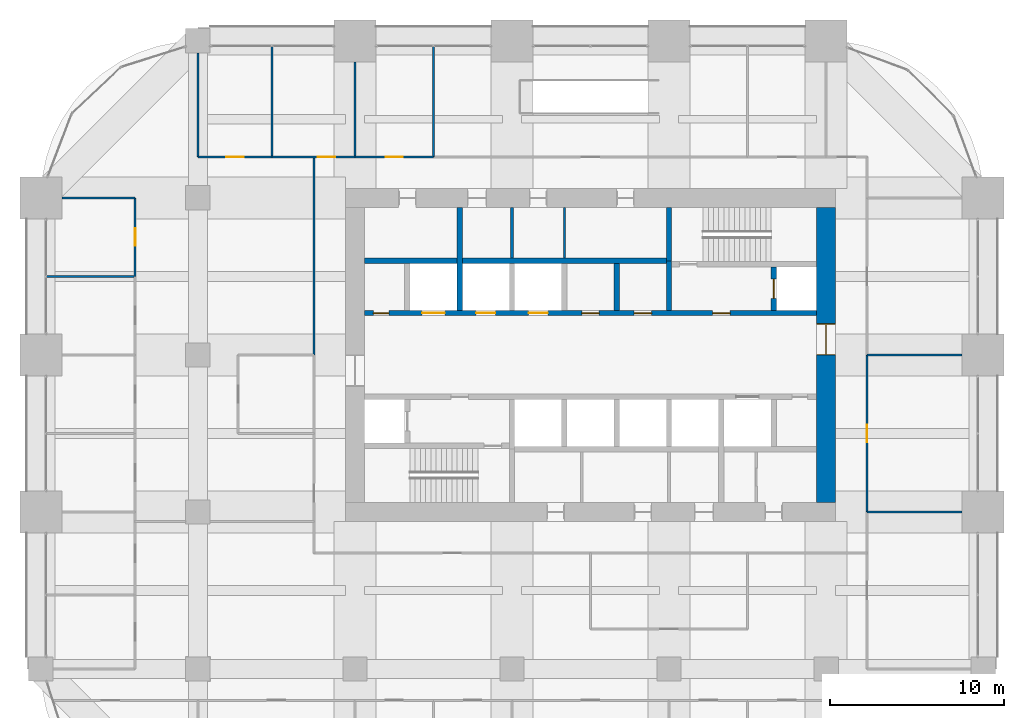
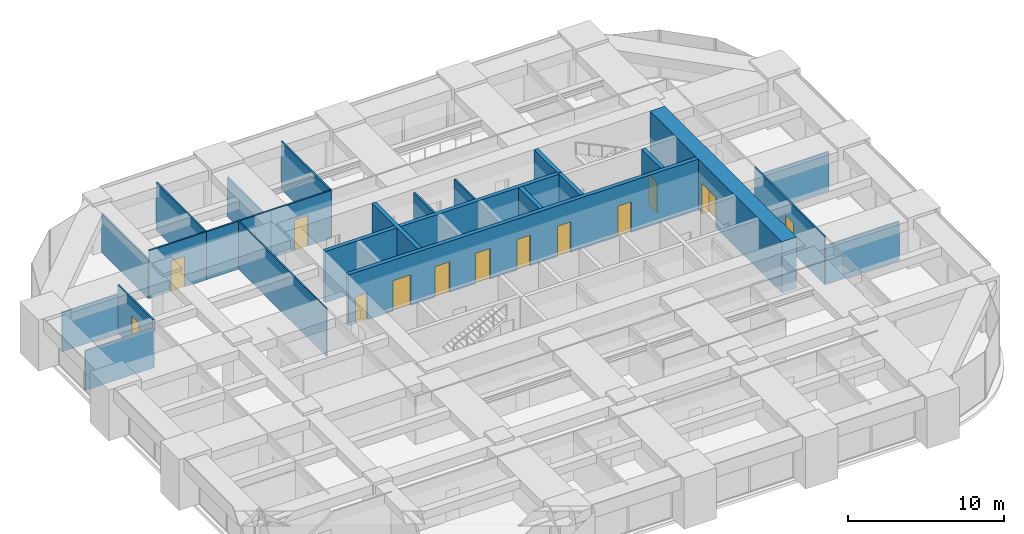
# One storey, part 32 of 35: 24 walls, 14 doors, 14 openings.
"""IFC4 building model written with IfcOpenShell, lengths in metres."""

import ifcopenshell
import ifcopenshell.guid

model = None  # the IFC model being written
_history = None  # IfcOwnerHistory: only IFC2X3 demands one
_inside = {}  # id of a spatial element -> (the spatial element, [elements in it])
_under = {}  # id of a project, library or spatial element -> (it, [spatial elements below it])
_declared = {}  # id of a project -> (the project, [libraries it declares])
_typed = {}  # id of a type object -> (the type object, [elements of that type])
_made_of = {}  # id of a material, layer set ... -> (it, [elements and type objects made of it])


def new_model(schema):
    """Start an empty IFC model of exactly this schema.

    Asked for "IFC4X3", IfcOpenShell would pick the latest addendum, in which some entities
    have other attributes; the version numbers below select the first issue.
    IFC2X3 requires an IfcOwnerHistory on every rooted entity: one is made here for all.
    """
    global model, _history
    if schema == "IFC4X3":
        model = ifcopenshell.file(schema_version=(4, 3, 0, 0))
    else:
        model = ifcopenshell.file(schema=schema)
    _inside.clear()
    _under.clear()
    _declared.clear()
    _typed.clear()
    _made_of.clear()
    _history = None
    if model.schema == "IFC2X3":
        org = make("IfcOrganization", Name="unknown")
        user = make(
            "IfcPersonAndOrganization",
            ThePerson=make("IfcPerson", FamilyName="unknown"),
            TheOrganization=org,
        )
        app = make(
            "IfcApplication",
            ApplicationDeveloper=org,
            Version="unknown",
            ApplicationFullName="unknown",
            ApplicationIdentifier="unknown",
        )
        _history = make(
            "IfcOwnerHistory",
            OwningUser=user,
            OwningApplication=app,
            ChangeAction="ADDED",
            CreationDate=0,
        )
    return model


def make(cls, **values):
    """One entity of the class cls with the attributes given. An attribute that is None is left unset."""
    return model.create_entity(
        cls, **{name: value for name, value in values.items() if value is not None}
    )


def rooted(cls, **values):
    """An entity with a GlobalId (a new one), such as an element, a storey or a relation."""
    return make(cls, GlobalId=ifcopenshell.guid.new(), OwnerHistory=_history, **values)


def si_unit(unit_type, name, prefix=None):
    """IfcSIUnit, for example si_unit("LENGTHUNIT", "METRE", prefix="MILLI")."""
    return make("IfcSIUnit", UnitType=unit_type, Prefix=prefix, Name=name)


def assignment(units):
    """IfcUnitAssignment: the units of a project."""
    return None if units is None else make("IfcUnitAssignment", Units=units)


def point(xyz):
    """IfcCartesianPoint."""
    return None if xyz is None else make("IfcCartesianPoint", Coordinates=xyz)


def direction(xyz):
    """IfcDirection."""
    return None if xyz is None else make("IfcDirection", DirectionRatios=xyz)


def frame(location, z_axis=None, x_axis=None):
    """IfcAxis2Placement3D, a coordinate frame: its origin and axes. An axis left out is left unset."""
    return make(
        "IfcAxis2Placement3D",
        Location=point(location),
        Axis=direction(z_axis),
        RefDirection=direction(x_axis),
    )


def frame_2d(location, x_axis=None):
    """IfcAxis2Placement2D, a coordinate frame in the plane: its origin and x axis."""
    return make(
        "IfcAxis2Placement2D", Location=point(location), RefDirection=direction(x_axis)
    )


def origin():
    """The frame at (0, 0, 0) with its axes left unset."""
    return frame((0.0, 0.0, 0.0))


def place(relative_to, where):
    """IfcLocalPlacement: puts the frame where relative to a parent placement (None: the world)."""
    return make(
        "IfcLocalPlacement", PlacementRelTo=relative_to, RelativePlacement=where
    )


def context(
    kind, dimensions, precision=None, world=None, true_north=None, identifier=None
):
    """IfcGeometricRepresentationContext, for example the 3D "Model" context."""
    return make(
        "IfcGeometricRepresentationContext",
        ContextIdentifier=identifier,
        ContextType=kind,
        CoordinateSpaceDimension=dimensions,
        Precision=precision,
        WorldCoordinateSystem=world,
        TrueNorth=true_north,
    )


def subcontext(parent, identifier, kind, view, scale=None):
    """IfcGeometricRepresentationSubContext, for example "Body" below "Model"."""
    return make(
        "IfcGeometricRepresentationSubContext",
        ContextIdentifier=identifier,
        ContextType=kind,
        ParentContext=parent,
        TargetScale=scale,
        TargetView=view,
    )


def project(units=None, contexts=None):
    """IfcProject with its units and contexts."""
    return rooted(
        "IfcProject",
        Name="project",
        RepresentationContexts=contexts,
        UnitsInContext=assignment(units),
    )


def spatial(cls, under=None, at=None, **own):
    """A site, building, storey or space (cls), placed at a placement, below another one or the project."""
    s = rooted(cls, ObjectPlacement=at, **own)
    if under is not None:
        _under.setdefault(under.id(), (under, []))[1].append(s)
    return s


def profile(cls, at=None, kind="AREA", **sizes):
    """A parametric profile (cls). Its sizes go by their IFC names, for example OverallWidth=200.0."""
    return make(cls, ProfileType=kind, Position=at, **sizes)


def rectangle(**sizes):
    """IfcRectangleProfileDef."""
    return profile("IfcRectangleProfileDef", **sizes)


def extrude(swept, where, along, depth):
    """IfcExtrudedAreaSolid: the profile swept, set in the frame where, extruded along a direction by depth."""
    return make(
        "IfcExtrudedAreaSolid",
        SweptArea=swept,
        Position=where,
        ExtrudedDirection=direction(along),
        Depth=depth,
    )


def shape(context_of_items, identifier, shape_type, items):
    """IfcShapeRepresentation: the items that make up one representation, for example the "Body"."""
    return make(
        "IfcShapeRepresentation",
        ContextOfItems=context_of_items,
        RepresentationIdentifier=identifier,
        RepresentationType=shape_type,
        Items=items,
    )


def material(Name=None, Category=None):
    """IfcMaterial."""
    return make("IfcMaterial", Name=Name, Category=Category)


def layer(
    of_material, thickness, ventilated=None, Name=None, Category=None, Priority=None
):
    """IfcMaterialLayer: one layer of a wall or slab, of a material (None: an air gap)."""
    return make(
        "IfcMaterialLayer",
        Material=of_material,
        LayerThickness=thickness,
        IsVentilated=ventilated,
        Name=Name,
        Category=Category,
        Priority=Priority,
    )


def layer_set(layers, Name=None):
    """IfcMaterialLayerSet."""
    return make("IfcMaterialLayerSet", MaterialLayers=layers, LayerSetName=Name)


def made_of(thing, what):
    """Note that an element or type object is made of a material, layer set ...; save() writes the relation."""
    if what is not None:
        _made_of.setdefault(what.id(), (what, []))[1].append(thing)
    return thing


def type_object(cls, material=None, **own):
    """A type object (cls), such as IfcWallType, which elements share."""
    return made_of(rooted(cls, **own), material)


def element(
    cls,
    number,
    at=None,
    inside=None,
    cuts=None,
    type_object=None,
    material=None,
    context=None,
    identifier="Body",
    shape_type=None,
    held_by="IfcProductDefinitionShape",
    body=None,
    shapes=None,
    **own,
):
    """One element of the class cls, such as IfcWall. Its Tag is "e" and its number.

    at: its placement. inside: the storey or other place that contains it. cuts: it is an
    opening in that element (IfcRelVoidsElement). A single representation is given by context,
    identifier, shape_type and body (its items); several are given by shapes. held_by: the class
    of the entity that holds the representations. save() writes the other relations.
    """
    e = rooted(cls, Tag="e%d" % number, ObjectPlacement=at, **own)
    if body is not None:
        shapes = [shape(context, identifier, shape_type, body)]
    if shapes is not None:
        e.Representation = make(held_by, Representations=shapes)
    if inside is not None:
        _inside.setdefault(inside.id(), (inside, []))[1].append(e)
    if cuts is not None:
        rooted(
            "IfcRelVoidsElement", RelatingBuildingElement=cuts, RelatedOpeningElement=e
        )
    if type_object is not None:
        _typed.setdefault(type_object.id(), (type_object, []))[1].append(e)
    return made_of(e, material)


def fill(opening, filler):
    """IfcRelFillsElement: the door or window that sits in an opening."""
    return rooted(
        "IfcRelFillsElement",
        RelatingOpeningElement=opening,
        RelatedBuildingElement=filler,
    )


def aggregate(whole, parts):
    """IfcRelAggregates: a whole, such as a stair, and the parts it consists of."""
    return rooted("IfcRelAggregates", RelatingObject=whole, RelatedObjects=parts)


def save(model, path):
    """Write the relations noted so far, then the file.

    IfcRelAggregates (storeys below a building ...), IfcRelContainedInSpatialStructure (elements
    in a storey), IfcRelDefinesByType, IfcRelAssociatesMaterial and IfcRelDeclares: one each for
    every whole, place, type object, material and project.
    """
    for whole, parts in _under.values():
        aggregate(whole, parts)
    for where, things in _inside.values():
        rooted(
            "IfcRelContainedInSpatialStructure",
            RelatedElements=things,
            RelatingStructure=where,
        )
    for kind, things in _typed.values():
        rooted("IfcRelDefinesByType", RelatedObjects=things, RelatingType=kind)
    for what, things in _made_of.values():
        rooted("IfcRelAssociatesMaterial", RelatedObjects=things, RelatingMaterial=what)
    for by, libraries in _declared.values():
        rooted("IfcRelDeclares", RelatingContext=by, RelatedDefinitions=libraries)
    model.write(path)


model = new_model("IFC4")

# Units and contexts
model_context = context("Model", 3, precision=1e-05, world=origin(), true_north=direction((0.0, 1.0)))
body_context = subcontext(model_context, "Body", "Model", "MODEL_VIEW")
ifc_project = project(units=[si_unit("LENGTHUNIT", "METRE"), si_unit("AREAUNIT", "SQUARE_METRE"), si_unit("VOLUMEUNIT", "CUBIC_METRE"), si_unit("PLANEANGLEUNIT", "RADIAN"), si_unit("MASSUNIT", "GRAM", prefix="KILO")], contexts=[model_context])

# Site, building, storey
site_placement = place(None, origin())
site = spatial("IfcSite", under=ifc_project, at=site_placement, CompositionType="ELEMENT")
building_placement = place(site_placement, origin())
building = spatial("IfcBuilding", under=site, at=building_placement, Name="Zorevar Civic Tower", CompositionType="ELEMENT")
storey_placement = place(building_placement, frame((0.0, 0.0, 218.199951171875)))
storey = spatial("IfcBuildingStorey", under=building, at=storey_placement, Name="L53", CompositionType="ELEMENT", Elevation=218.199951171875)

# Wall, opening, door
ifc_material_1 = material(Name="Concrete C50/60", Category="concrete")
ifc_layer_1 = layer(ifc_material_1, 1.10009765625)
ifc_layer_set_1 = layer_set([ifc_layer_1], Name="Core wall 1100")
wall_type_1 = type_object("IfcWallType", Name="Core wall 1100", PredefinedType="SHEAR", material=ifc_layer_set_1)
wall_1_placement = place(storey_placement, frame((45.0, 18.550048828125, 0.0), z_axis=(0.0, 0.0, 1.0), x_axis=(0.0, 1.0, 0.0)))
wall_1 = element("IfcWall", 1, at=wall_1_placement, inside=storey, type_object=wall_type_1, Name="Core wall E L53", PredefinedType="SHEAR", context=body_context, shape_type="SweptSolid", body=[
    extrude(rectangle(XDim=16.89990234375, YDim=1.10009765625, at=frame_2d((8.449951171875, 0.0))), origin(), (0.0, 0.0, 1.0), 4.0),
])
opening_1_placement = place(wall_1_placement, frame((8.449951171875, 0.0, 0.0)))
opening_1 = element("IfcOpeningElement", 2, at=opening_1_placement, cuts=wall_1, Name="Opening L53.02", PredefinedType="OPENING", context=body_context, shape_type="SweptSolid", body=[
    extrude(rectangle(XDim=1.800048828125, YDim=2.39990234375, at=frame_2d((0.89990234375, 1.199951171875))), frame((0.0, 0.56005859375, 0.0), z_axis=(0.0, -1.0, 0.0), x_axis=(1.0, 0.0, 0.0)), (0.0, 0.0, 1.0), 1.1201171875),
])
ifc_material_2 = material(Name="Steel door set", Category="steel")
door_type_1 = type_object("IfcDoorType", Name="Fire door FD2 1800x2400", OperationType="DOUBLE_DOOR_DOUBLE_SWING", PredefinedType="DOOR", material=ifc_material_2)
door_1_placement = place(opening_1_placement, origin())
door_1 = element("IfcDoor", 3, at=door_1_placement, inside=storey, type_object=door_type_1, Name="Door L53 01", OperationType="DOUBLE_DOOR_DOUBLE_SWING", OverallHeight=2.39990234375, OverallWidth=1.800048828125, PredefinedType="DOOR", context=body_context, shape_type="SweptSolid", body=[
    extrude(rectangle(XDim=1.800048828125, YDim=2.39990234375, at=frame_2d((0.89990234375, 1.199951171875))), frame((0.0, 0.030029296875, 0.0), z_axis=(0.0, -1.0, 0.0), x_axis=(1.0, 0.0, 0.0)), (0.0, 0.0, 1.0), 0.06005859375),
    extrude(rectangle(XDim=0.04, YDim=2.39990234375, at=frame_2d((0.02001953125, 1.199951171875))), frame((0.0, 0.5498046875, 0.0), z_axis=(0.0, -1.0, 0.0), x_axis=(1.0, 0.0, 0.0)), (0.0, 0.0, 1.0), 1.099609375),
    extrude(rectangle(XDim=0.04, YDim=2.39990234375, at=frame_2d((1.780029296875, 1.199951171875))), frame((0.0, 0.5498046875, 0.0), z_axis=(0.0, -1.0, 0.0), x_axis=(1.0, 0.0, 0.0)), (0.0, 0.0, 1.0), 1.099609375),
    extrude(rectangle(XDim=1.800048828125, YDim=0.04, at=frame_2d((0.89990234375, 2.3798828125))), frame((0.0, 0.5498046875, 0.0), z_axis=(0.0, -1.0, 0.0), x_axis=(1.0, 0.0, 0.0)), (0.0, 0.0, 1.0), 1.099609375),
])
fill(opening_1, door_1)

# Walls
ifc_material_3 = material(Name="Laminated glass in black aluminium frame", Category="aluminium")
ifc_layer_2 = layer(ifc_material_3, 0.10009765625)
ifc_layer_set_2 = layer_set([ifc_layer_2], Name="Glazed partition 100")
wall_type_2 = type_object("IfcWallType", Name="Glazed partition 100", PredefinedType="PARTITIONING", material=ifc_layer_set_2)
wall_2_placement = place(storey_placement, frame((15.64990234375, 27.0, 0.0), z_axis=(0.0, 0.0, 1.0), x_axis=(0.0, 1.0, 0.0)))
element("IfcWall", 4, at=wall_2_placement, inside=storey, type_object=wall_type_2, Name="Glazed partition 100 L53", PredefinedType="PARTITIONING", context=body_context, shape_type="SweptSolid", body=[
    extrude(rectangle(XDim=11.35009765625, YDim=0.10009765625, at=frame_2d((5.675048828125, 0.0))), origin(), (0.0, 0.0, 1.0), 3.75),
])
ifc_material_4 = material(Name="Concrete C40/50", Category="concrete")
ifc_layer_3 = layer(ifc_material_4, 0.300048828125)
ifc_layer_set_3 = layer_set([ifc_layer_3], Name="Inner core wall 300")
wall_type_3 = type_object("IfcWallType", Name="Inner core wall 300", PredefinedType="SHEAR", material=ifc_layer_set_3)
wall_3_placement = place(storey_placement, frame((36.0, 32.39990234375, 0.0), z_axis=(0.0, 0.0, 1.0), x_axis=(0.0, 1.0, 0.0)))
element("IfcWall", 5, at=wall_3_placement, inside=storey, type_object=wall_type_3, Name="Inner core wall N01 L53", PredefinedType="SHEAR", context=body_context, shape_type="SweptSolid", body=[
    extrude(rectangle(XDim=3.050048828125, YDim=0.300048828125, at=frame_2d((1.52490234375, 0.0))), origin(), (0.0, 0.0, 1.0), 4.0),
])

# Wall, opening, door
wall_4_placement = place(storey_placement, frame((42.0, 29.550048828125, 0.0), z_axis=(0.0, 0.0, 1.0), x_axis=(0.0, 1.0, 0.0)))
wall_4 = element("IfcWall", 6, at=wall_4_placement, inside=storey, type_object=wall_type_3, Name="Inner core wall N02 L53", PredefinedType="SHEAR", context=body_context, shape_type="SweptSolid", body=[
    extrude(rectangle(XDim=2.5, YDim=0.300048828125, at=frame_2d((1.25, 0.0))), origin(), (0.0, 0.0, 1.0), 4.0),
])
opening_2_placement = place(wall_4_placement, frame((0.699951171875, 0.0, 0.0)))
opening_2 = element("IfcOpeningElement", 7, at=opening_2_placement, cuts=wall_4, Name="Opening L53.FL2", PredefinedType="OPENING", context=body_context, shape_type="SweptSolid", body=[
    extrude(rectangle(XDim=1.10009765625, YDim=2.39990234375, at=frame_2d((0.550048828125, 1.199951171875))), frame((0.0, 0.159912109375, 0.0), z_axis=(0.0, -1.0, 0.0), x_axis=(1.0, 0.0, 0.0)), (0.0, 0.0, 1.0), 0.320068359375),
])
ifc_material_5 = material(Name="Steel door set", Category="steel")
door_type_2 = type_object("IfcDoorType", Name="Firefighting lift landing door LD3 1100x2400", OperationType="DOUBLE_DOOR_SLIDING", PredefinedType="DOOR", material=ifc_material_5)
door_2_placement = place(opening_2_placement, origin())
door_2 = element("IfcDoor", 8, at=door_2_placement, inside=storey, type_object=door_type_2, Name="Landing door FL2 L53", OperationType="DOUBLE_DOOR_SLIDING", OverallHeight=2.39990234375, OverallWidth=1.10009765625, PredefinedType="DOOR", context=body_context, shape_type="SweptSolid", body=[
    extrude(rectangle(XDim=1.10009765625, YDim=2.39990234375, at=frame_2d((0.550048828125, 1.199951171875))), frame((0.0, 0.030029296875, 0.0), z_axis=(0.0, -1.0, 0.0), x_axis=(1.0, 0.0, 0.0)), (0.0, 0.0, 1.0), 0.06005859375),
])
fill(opening_2, door_2)

# Wall, openings, doors
wall_5_placement = place(storey_placement, frame((18.550048828125, 29.39990234375, 0.0), z_axis=(0.0, 0.0, 1.0), x_axis=(1.0, 0.0, 0.0)))
wall_5 = element("IfcWall", 9, at=wall_5_placement, inside=storey, type_object=wall_type_3, Name="Inner core wall N03 L53", PredefinedType="SHEAR", context=body_context, shape_type="SweptSolid", body=[
    extrude(rectangle(XDim=25.89990234375, YDim=0.300048828125, at=frame_2d((12.949951171875, 0.0))), origin(), (0.0, 0.0, 1.0), 4.0),
])
opening_3_placement = place(wall_5_placement, frame((19.949951171875, 0.0, 0.0)))
opening_3 = element("IfcOpeningElement", 10, at=opening_3_placement, cuts=wall_5, Name="Opening L53.14", PredefinedType="OPENING", context=body_context, shape_type="SweptSolid", body=[
    extrude(rectangle(XDim=1.0, YDim=2.39990234375, at=frame_2d((0.5, 1.199951171875))), frame((0.0, 0.159912109375, 0.0), z_axis=(0.0, -1.0, 0.0), x_axis=(1.0, 0.0, 0.0)), (0.0, 0.0, 1.0), 0.320068359375),
])
opening_4_placement = place(wall_5_placement, frame((0.5, 0.0, 0.0)))
opening_4 = element("IfcOpeningElement", 11, at=opening_4_placement, cuts=wall_5, Name="Opening L53.16", PredefinedType="OPENING", context=body_context, shape_type="SweptSolid", body=[
    extrude(rectangle(XDim=0.89990234375, YDim=2.10009765625, at=frame_2d((0.449951171875, 1.050048828125))), frame((0.0, 0.159912109375, 0.0), z_axis=(0.0, -1.0, 0.0), x_axis=(1.0, 0.0, 0.0)), (0.0, 0.0, 1.0), 0.320068359375),
])
opening_5_placement = place(wall_5_placement, frame((15.449951171875, 0.0, 0.0)))
opening_5 = element("IfcOpeningElement", 12, at=opening_5_placement, cuts=wall_5, Name="Opening L53.44", PredefinedType="OPENING", context=body_context, shape_type="SweptSolid", body=[
    extrude(rectangle(XDim=1.0, YDim=2.39990234375, at=frame_2d((0.5, 1.199951171875))), frame((0.0, 0.159912109375, 0.0), z_axis=(0.0, -1.0, 0.0), x_axis=(1.0, 0.0, 0.0)), (0.0, 0.0, 1.0), 0.320068359375),
])
opening_6_placement = place(wall_5_placement, frame((12.449951171875, 0.0, 0.0)))
opening_6 = element("IfcOpeningElement", 13, at=opening_6_placement, cuts=wall_5, Name="Opening L53.45", PredefinedType="OPENING", context=body_context, shape_type="SweptSolid", body=[
    extrude(rectangle(XDim=1.0, YDim=2.39990234375, at=frame_2d((0.5, 1.199951171875))), frame((0.0, 0.159912109375, 0.0), z_axis=(0.0, -1.0, 0.0), x_axis=(1.0, 0.0, 0.0)), (0.0, 0.0, 1.0), 0.320068359375),
])
opening_7_placement = place(wall_5_placement, frame((9.39990234375, 0.0, 0.0)))
opening_7 = element("IfcOpeningElement", 14, at=opening_7_placement, cuts=wall_5, Name="Opening L53.LH1", PredefinedType="OPENING", context=body_context, shape_type="SweptSolid", body=[
    extrude(rectangle(XDim=1.10009765625, YDim=2.39990234375, at=frame_2d((0.550048828125, 1.199951171875))), frame((0.0, 0.159912109375, 0.0), z_axis=(0.0, -1.0, 0.0), x_axis=(1.0, 0.0, 0.0)), (0.0, 0.0, 1.0), 0.320068359375),
])
opening_8_placement = place(wall_5_placement, frame((6.39990234375, 0.0, 0.0)))
opening_8 = element("IfcOpeningElement", 15, at=opening_8_placement, cuts=wall_5, Name="Opening L53.LH2", PredefinedType="OPENING", context=body_context, shape_type="SweptSolid", body=[
    extrude(rectangle(XDim=1.10009765625, YDim=2.39990234375, at=frame_2d((0.550048828125, 1.199951171875))), frame((0.0, 0.159912109375, 0.0), z_axis=(0.0, -1.0, 0.0), x_axis=(1.0, 0.0, 0.0)), (0.0, 0.0, 1.0), 0.320068359375),
])
opening_9_placement = place(wall_5_placement, frame((3.300048828125, 0.0, 0.0)))
opening_9 = element("IfcOpeningElement", 16, at=opening_9_placement, cuts=wall_5, Name="Opening L53.SL2", PredefinedType="OPENING", context=body_context, shape_type="SweptSolid", body=[
    extrude(rectangle(XDim=1.300048828125, YDim=2.39990234375, at=frame_2d((0.64990234375, 1.199951171875))), frame((0.0, 0.159912109375, 0.0), z_axis=(0.0, -1.0, 0.0), x_axis=(1.0, 0.0, 0.0)), (0.0, 0.0, 1.0), 0.320068359375),
])
ifc_material_6 = material(Name="Steel door set", Category="steel")
door_type_3 = type_object("IfcDoorType", Name="Fire door FD1 1000x2400", OperationType="SINGLE_SWING_LEFT", PredefinedType="DOOR", material=ifc_material_6)
door_3_placement = place(opening_3_placement, origin())
door_3 = element("IfcDoor", 17, at=door_3_placement, inside=storey, type_object=door_type_3, Name="Door L53 13", OperationType="SINGLE_SWING_RIGHT", OverallHeight=2.39990234375, OverallWidth=1.0, PredefinedType="DOOR", context=body_context, shape_type="SweptSolid", body=[
    extrude(rectangle(XDim=1.0, YDim=2.39990234375, at=frame_2d((0.5, 1.199951171875))), frame((0.0, 0.030029296875, 0.0), z_axis=(0.0, -1.0, 0.0), x_axis=(1.0, 0.0, 0.0)), (0.0, 0.0, 1.0), 0.06005859375),
])
fill(opening_3, door_3)
door_4_placement = place(opening_5_placement, origin())
door_4 = element("IfcDoor", 18, at=door_4_placement, inside=storey, type_object=door_type_3, Name="Door L53 LM1 shaft room", OperationType="SINGLE_SWING_LEFT", OverallHeight=2.39990234375, OverallWidth=1.0, PredefinedType="DOOR", context=body_context, shape_type="SweptSolid", body=[
    extrude(rectangle(XDim=1.0, YDim=2.39990234375, at=frame_2d((0.5, 1.199951171875))), frame((0.0, 0.030029296875, 0.0), z_axis=(0.0, -1.0, 0.0), x_axis=(1.0, 0.0, 0.0)), (0.0, 0.0, 1.0), 0.06005859375),
])
fill(opening_5, door_4)
door_5_placement = place(opening_6_placement, origin())
door_5 = element("IfcDoor", 19, at=door_5_placement, inside=storey, type_object=door_type_3, Name="Door L53 LM2 shaft room", OperationType="SINGLE_SWING_RIGHT", OverallHeight=2.39990234375, OverallWidth=1.0, PredefinedType="DOOR", context=body_context, shape_type="SweptSolid", body=[
    extrude(rectangle(XDim=1.0, YDim=2.39990234375, at=frame_2d((0.5, 1.199951171875))), frame((0.0, 0.030029296875, 0.0), z_axis=(0.0, -1.0, 0.0), x_axis=(1.0, 0.0, 0.0)), (0.0, 0.0, 1.0), 0.06005859375),
])
fill(opening_6, door_5)
ifc_material_7 = material(Name="Steel door set", Category="steel")
door_type_4 = type_object("IfcDoorType", Name="Landing door LD1 1100x2400", OperationType="DOUBLE_DOOR_SLIDING", PredefinedType="DOOR", material=ifc_material_7)
door_6_placement = place(opening_7_placement, origin())
door_6 = element("IfcDoor", 20, at=door_6_placement, inside=storey, type_object=door_type_4, Name="Landing door LH1 L53", OperationType="DOUBLE_DOOR_SLIDING", OverallHeight=2.39990234375, OverallWidth=1.10009765625, PredefinedType="DOOR", context=body_context, shape_type="SweptSolid", body=[
    extrude(rectangle(XDim=1.10009765625, YDim=2.39990234375, at=frame_2d((0.550048828125, 1.199951171875))), frame((0.0, 0.02001953125, 0.0), z_axis=(0.0, -1.0, 0.0), x_axis=(1.0, 0.0, 0.0)), (0.0, 0.0, 1.0), 0.0400390625),
])
fill(opening_7, door_6)
door_7_placement = place(opening_8_placement, origin())
door_7 = element("IfcDoor", 21, at=door_7_placement, inside=storey, type_object=door_type_4, Name="Landing door LH2 L53", OperationType="DOUBLE_DOOR_SLIDING", OverallHeight=2.39990234375, OverallWidth=1.10009765625, PredefinedType="DOOR", context=body_context, shape_type="SweptSolid", body=[
    extrude(rectangle(XDim=1.10009765625, YDim=2.39990234375, at=frame_2d((0.550048828125, 1.199951171875))), frame((0.0, 0.02001953125, 0.0), z_axis=(0.0, -1.0, 0.0), x_axis=(1.0, 0.0, 0.0)), (0.0, 0.0, 1.0), 0.0400390625),
])
fill(opening_8, door_7)
ifc_material_8 = material(Name="Steel door set", Category="steel")
door_type_5 = type_object("IfcDoorType", Name="Landing door LD2 1300x2400", OperationType="DOUBLE_DOOR_SLIDING", PredefinedType="DOOR", material=ifc_material_8)
door_8_placement = place(opening_9_placement, origin())
door_8 = element("IfcDoor", 22, at=door_8_placement, inside=storey, type_object=door_type_5, Name="Landing door SL2 L53", OperationType="DOUBLE_DOOR_SLIDING", OverallHeight=2.39990234375, OverallWidth=1.300048828125, PredefinedType="DOOR", context=body_context, shape_type="SweptSolid", body=[
    extrude(rectangle(XDim=1.300048828125, YDim=2.39990234375, at=frame_2d((0.64990234375, 1.199951171875))), frame((0.0, 0.02001953125, 0.0), z_axis=(0.0, -1.0, 0.0), x_axis=(1.0, 0.0, 0.0)), (0.0, 0.0, 1.0), 0.0400390625),
])
fill(opening_9, door_8)
ifc_material_9 = material(Name="Steel door set", Category="steel")
door_type_6 = type_object("IfcDoorType", Name="Riser door RD1 900x2100", OperationType="SINGLE_SWING_LEFT", PredefinedType="DOOR", material=ifc_material_9)
door_9_placement = place(opening_4_placement, origin())
door_9 = element("IfcDoor", 23, at=door_9_placement, inside=storey, type_object=door_type_6, Name="Door L53 15", OperationType="SINGLE_SWING_RIGHT", OverallHeight=2.10009765625, OverallWidth=0.89990234375, PredefinedType="DOOR", context=body_context, shape_type="SweptSolid", body=[
    extrude(rectangle(XDim=0.89990234375, YDim=2.10009765625, at=frame_2d((0.449951171875, 1.050048828125))), frame((0.0, 0.030029296875, 0.0), z_axis=(0.0, -1.0, 0.0), x_axis=(1.0, 0.0, 0.0)), (0.0, 0.0, 1.0), 0.06005859375),
])
fill(opening_4, door_9)

# Walls
wall_6_placement = place(storey_placement, frame((18.550048828125, 32.39990234375, 0.0), z_axis=(0.0, 0.0, 1.0), x_axis=(1.0, 0.0, 0.0)))
element("IfcWall", 24, at=wall_6_placement, inside=storey, type_object=wall_type_3, Name="Inner core wall N04 L53", PredefinedType="SHEAR", context=body_context, shape_type="SweptSolid", body=[
    extrude(rectangle(XDim=17.300048828125, YDim=0.300048828125, at=frame_2d((8.64990234375, 0.0))), origin(), (0.0, 0.0, 1.0), 4.0),
])
wall_7_placement = place(storey_placement, frame((33.0, 29.550048828125, 0.0), z_axis=(0.0, 0.0, 1.0), x_axis=(0.0, 1.0, 0.0)))
element("IfcWall", 25, at=wall_7_placement, inside=storey, type_object=wall_type_3, Name="Inner core wall N05 L53", PredefinedType="SHEAR", context=body_context, shape_type="SweptSolid", body=[
    extrude(rectangle(XDim=2.699951171875, YDim=0.300048828125, at=frame_2d((1.35009765625, 0.0))), origin(), (0.0, 0.0, 1.0), 4.0),
])
wall_8_placement = place(storey_placement, frame((24.0, 29.550048828125, 0.0), z_axis=(0.0, 0.0, 1.0), x_axis=(0.0, 1.0, 0.0)))
element("IfcWall", 26, at=wall_8_placement, inside=storey, type_object=wall_type_3, Name="Inner core wall N08 L53", PredefinedType="SHEAR", context=body_context, shape_type="SweptSolid", body=[
    extrude(rectangle(XDim=5.89990234375, YDim=0.300048828125, at=frame_2d((2.949951171875, 0.0))), origin(), (0.0, 0.0, 1.0), 4.0),
])
wall_9_placement = place(storey_placement, frame((36.0, 29.550048828125, 0.0), z_axis=(0.0, 0.0, 1.0), x_axis=(0.0, 1.0, 0.0)))
element("IfcWall", 27, at=wall_9_placement, inside=storey, type_object=wall_type_3, Name="Inner core wall N10 L53", PredefinedType="SHEAR", context=body_context, shape_type="SweptSolid", body=[
    extrude(rectangle(XDim=2.849853515625, YDim=0.300048828125, at=frame_2d((1.4248046875, 0.0))), origin(), (0.0, 0.0, 1.0), 4.0),
])
ifc_material_10 = material(Name="Gypsum board on steel studs", Category="steel")
ifc_layer_4 = layer(ifc_material_10, 0.1201171875)
ifc_layer_set_4 = layer_set([ifc_layer_4], Name="Partition 120")
wall_type_4 = type_object("IfcWallType", Name="Partition 120", PredefinedType="PARTITIONING", material=ifc_layer_set_4)
for number, where, z_axis, x_axis, name in (
    (28, (47.35009765625, 18.0, 0.0), (0.0, 0.0, 1.0), (1.0, 0.0, 0.0), "Partition 120 L53"),
    (29, (47.35009765625, 27.0, 0.0), (0.0, 0.0, 1.0), (1.0, 0.0, 0.0), "Partition 120 L53"),
):
    element("IfcWall", number, at=place(storey_placement, frame(where, z_axis=z_axis, x_axis=x_axis)), inside=storey, type_object=wall_type_4, Name=name, PredefinedType="PARTITIONING", context=body_context, shape_type="SweptSolid", body=[
        extrude(rectangle(XDim=5.449951171875, YDim=0.1201171875, at=frame_2d((2.72509765625, 0.0))), origin(), (0.0, 0.0, 1.0), 3.050048828125),
    ])
wall_10_placement = place(storey_placement, frame((0.31005859375, 31.5, 0.0), z_axis=(0.0, 0.0, 1.0), x_axis=(1.0, 0.0, 0.0)))
element("IfcWall", 30, at=wall_10_placement, inside=storey, type_object=wall_type_4, Name="Partition 120 L53", PredefinedType="PARTITIONING", context=body_context, shape_type="SweptSolid", body=[
    extrude(rectangle(XDim=5.08984375, YDim=0.1201171875, at=frame_2d((2.544921875, 0.0))), origin(), (0.0, 0.0, 1.0), 3.10009765625),
])
wall_11_placement = place(storey_placement, frame((1.199951171875, 36.0, 0.0), z_axis=(0.0, 0.0, 1.0), x_axis=(1.0, 0.0, 0.0)))
element("IfcWall", 31, at=wall_11_placement, inside=storey, type_object=wall_type_4, Name="Partition 120 L53", PredefinedType="PARTITIONING", context=body_context, shape_type="SweptSolid", body=[
    extrude(rectangle(XDim=4.199951171875, YDim=0.1201171875, at=frame_2d((2.10009765625, 0.0))), origin(), (0.0, 0.0, 1.0), 3.050048828125),
])

# Wall, opening, door
wall_12_placement = place(storey_placement, frame((9.0, 38.35009765625, 0.0), z_axis=(0.0, 0.0, 1.0), x_axis=(1.0, 0.0, 0.0)))
wall_12 = element("IfcWall", 32, at=wall_12_placement, inside=storey, type_object=wall_type_4, Name="Partition 120 L53", PredefinedType="PARTITIONING", context=body_context, shape_type="SweptSolid", body=[
    extrude(rectangle(XDim=4.25, YDim=0.1201171875, at=frame_2d((2.125, 0.0))), origin(), (0.0, 0.0, 1.0), 3.75),
])
opening_10_placement = place(wall_12_placement, frame((1.625, 0.0, 0.0)))
opening_10 = element("IfcOpeningElement", 33, at=opening_10_placement, cuts=wall_12, Name="Opening L53.26", PredefinedType="OPENING", context=body_context, shape_type="SweptSolid", body=[
    extrude(rectangle(XDim=1.0, YDim=2.39990234375, at=frame_2d((0.5, 1.199951171875))), frame((0.0, 0.070068359375, 0.0), z_axis=(0.0, -1.0, 0.0), x_axis=(1.0, 0.0, 0.0)), (0.0, 0.0, 1.0), 0.14013671875),
])
ifc_material_11 = material(Name="Timber door set", Category="wood")
door_type_7 = type_object("IfcDoorType", Name="Door D1 1000x2400", OperationType="SINGLE_SWING_LEFT", PredefinedType="DOOR", material=ifc_material_11)
door_10_placement = place(opening_10_placement, origin())
door_10 = element("IfcDoor", 34, at=door_10_placement, inside=storey, type_object=door_type_7, Name="Door L53 D1", OperationType="SINGLE_SWING_RIGHT", OverallHeight=2.39990234375, OverallWidth=1.0, PredefinedType="DOOR", context=body_context, shape_type="SweptSolid", body=[
    extrude(rectangle(XDim=1.0, YDim=2.39990234375, at=frame_2d((0.5, 1.199951171875))), frame((0.0, 0.02490234375, 0.0), z_axis=(0.0, -1.0, 0.0), x_axis=(1.0, 0.0, 0.0)), (0.0, 0.0, 1.0), 0.050048828125),
])
fill(opening_10, door_10)

wall_13_placement = place(storey_placement, frame((13.25, 38.35009765625, 0.0), z_axis=(0.0, 0.0, 1.0), x_axis=(1.0, 0.0, 0.0)))
wall_13 = element("IfcWall", 35, at=wall_13_placement, inside=storey, type_object=wall_type_4, Name="Partition 120 L53", PredefinedType="PARTITIONING", context=body_context, shape_type="SweptSolid", body=[
    extrude(rectangle(XDim=4.75, YDim=0.1201171875, at=frame_2d((2.375, 0.0))), origin(), (0.0, 0.0, 1.0), 3.75),
])
opening_11_placement = place(wall_13_placement, frame((2.625, 0.0, 0.0)))
opening_11 = element("IfcOpeningElement", 36, at=opening_11_placement, cuts=wall_13, Name="Opening L53.27", PredefinedType="OPENING", context=body_context, shape_type="SweptSolid", body=[
    extrude(rectangle(XDim=1.0, YDim=2.39990234375, at=frame_2d((0.5, 1.199951171875))), frame((0.0, 0.070068359375, 0.0), z_axis=(0.0, -1.0, 0.0), x_axis=(1.0, 0.0, 0.0)), (0.0, 0.0, 1.0), 0.14013671875),
])
door_11_placement = place(opening_11_placement, origin())
door_11 = element("IfcDoor", 37, at=door_11_placement, inside=storey, type_object=door_type_7, Name="Door L53 D1", OperationType="SINGLE_SWING_LEFT", OverallHeight=2.39990234375, OverallWidth=1.0, PredefinedType="DOOR", context=body_context, shape_type="SweptSolid", body=[
    extrude(rectangle(XDim=1.0, YDim=2.39990234375, at=frame_2d((0.5, 1.199951171875))), frame((0.0, 0.02490234375, 0.0), z_axis=(0.0, -1.0, 0.0), x_axis=(1.0, 0.0, 0.0)), (0.0, 0.0, 1.0), 0.050048828125),
])
fill(opening_11, door_11)

wall_14_placement = place(storey_placement, frame((18.0, 38.35009765625, 0.0), z_axis=(0.0, 0.0, 1.0), x_axis=(1.0, 0.0, 0.0)))
wall_14 = element("IfcWall", 38, at=wall_14_placement, inside=storey, type_object=wall_type_4, Name="Partition 120 L53", PredefinedType="PARTITIONING", context=body_context, shape_type="SweptSolid", body=[
    extrude(rectangle(XDim=4.5, YDim=0.1201171875, at=frame_2d((2.25, 0.0))), origin(), (0.0, 0.0, 1.0), 3.75),
])
opening_12_placement = place(wall_14_placement, frame((1.75, 0.0, 0.0)))
opening_12 = element("IfcOpeningElement", 39, at=opening_12_placement, cuts=wall_14, Name="Opening L53.28", PredefinedType="OPENING", context=body_context, shape_type="SweptSolid", body=[
    extrude(rectangle(XDim=1.0, YDim=2.39990234375, at=frame_2d((0.5, 1.199951171875))), frame((0.0, 0.070068359375, 0.0), z_axis=(0.0, -1.0, 0.0), x_axis=(1.0, 0.0, 0.0)), (0.0, 0.0, 1.0), 0.14013671875),
])
door_12_placement = place(opening_12_placement, origin())
door_12 = element("IfcDoor", 40, at=door_12_placement, inside=storey, type_object=door_type_7, Name="Door L53 D1", OperationType="SINGLE_SWING_RIGHT", OverallHeight=2.39990234375, OverallWidth=1.0, PredefinedType="DOOR", context=body_context, shape_type="SweptSolid", body=[
    extrude(rectangle(XDim=1.0, YDim=2.39990234375, at=frame_2d((0.5, 1.199951171875))), frame((0.0, 0.02490234375, 0.0), z_axis=(0.0, -1.0, 0.0), x_axis=(1.0, 0.0, 0.0)), (0.0, 0.0, 1.0), 0.050048828125),
])
fill(opening_12, door_12)

wall_15_placement = place(storey_placement, frame((5.39990234375, 31.5, 0.0), z_axis=(0.0, 0.0, 1.0), x_axis=(0.0, 1.0, 0.0)))
wall_15 = element("IfcWall", 41, at=wall_15_placement, inside=storey, type_object=wall_type_4, Name="Partition 120 L53", PredefinedType="PARTITIONING", context=body_context, shape_type="SweptSolid", body=[
    extrude(rectangle(XDim=4.5, YDim=0.1201171875, at=frame_2d((2.25, 0.0))), origin(), (0.0, 0.0, 1.0), 3.75),
])
opening_13_placement = place(wall_15_placement, frame((1.75, 0.0, 0.0)))
opening_13 = element("IfcOpeningElement", 42, at=opening_13_placement, cuts=wall_15, Name="Opening L53.37", PredefinedType="OPENING", context=body_context, shape_type="SweptSolid", body=[
    extrude(rectangle(XDim=1.0, YDim=2.39990234375, at=frame_2d((0.5, 1.199951171875))), frame((0.0, 0.070068359375, 0.0), z_axis=(0.0, -1.0, 0.0), x_axis=(1.0, 0.0, 0.0)), (0.0, 0.0, 1.0), 0.14013671875),
])
door_13_placement = place(opening_13_placement, origin())
door_13 = element("IfcDoor", 43, at=door_13_placement, inside=storey, type_object=door_type_7, Name="Door L53 D1", OperationType="SINGLE_SWING_RIGHT", OverallHeight=2.39990234375, OverallWidth=1.0, PredefinedType="DOOR", context=body_context, shape_type="SweptSolid", body=[
    extrude(rectangle(XDim=1.0, YDim=2.39990234375, at=frame_2d((0.5, 1.199951171875))), frame((0.0, 0.02490234375, 0.0), z_axis=(0.0, -1.0, 0.0), x_axis=(1.0, 0.0, 0.0)), (0.0, 0.0, 1.0), 0.050048828125),
])
fill(opening_13, door_13)

# Walls
wall_16_placement = place(storey_placement, frame((9.0, 38.35009765625, 0.0), z_axis=(0.0, 0.0, 1.0), x_axis=(0.0, 1.0, 0.0)))
element("IfcWall", 44, at=wall_16_placement, inside=storey, type_object=wall_type_4, Name="Partition 120 L53", PredefinedType="PARTITIONING", context=body_context, shape_type="SweptSolid", body=[
    extrude(rectangle(XDim=5.949951171875, YDim=0.1201171875, at=frame_2d((2.97509765625, 0.0))), origin(), (0.0, 0.0, 1.0), 3.050048828125),
])
wall_17_placement = place(storey_placement, frame((13.25, 38.35009765625, 0.0), z_axis=(0.0, 0.0, 1.0), x_axis=(0.0, 1.0, 0.0)))
element("IfcWall", 45, at=wall_17_placement, inside=storey, type_object=wall_type_4, Name="Partition 120 L53", PredefinedType="PARTITIONING", context=body_context, shape_type="SweptSolid", body=[
    extrude(rectangle(XDim=6.33984375, YDim=0.1201171875, at=frame_2d((3.169921875, 0.0))), origin(), (0.0, 0.0, 1.0), 3.75),
])
wall_18_placement = place(storey_placement, frame((18.0, 38.35009765625, 0.0), z_axis=(0.0, 0.0, 1.0), x_axis=(0.0, 1.0, 0.0)))
element("IfcWall", 46, at=wall_18_placement, inside=storey, type_object=wall_type_4, Name="Partition 120 L53", PredefinedType="PARTITIONING", context=body_context, shape_type="SweptSolid", body=[
    extrude(rectangle(XDim=5.449951171875, YDim=0.1201171875, at=frame_2d((2.72509765625, 0.0))), origin(), (0.0, 0.0, 1.0), 3.050048828125),
])
wall_19_placement = place(storey_placement, frame((22.5, 38.35009765625, 0.0), z_axis=(0.0, 0.0, 1.0), x_axis=(0.0, 1.0, 0.0)))
element("IfcWall", 47, at=wall_19_placement, inside=storey, type_object=wall_type_4, Name="Partition 120 L53", PredefinedType="PARTITIONING", context=body_context, shape_type="SweptSolid", body=[
    extrude(rectangle(XDim=6.33984375, YDim=0.1201171875, at=frame_2d((3.169921875, 0.0))), origin(), (0.0, 0.0, 1.0), 3.75),
])

# Wall, opening, door
wall_20_placement = place(storey_placement, frame((47.35009765625, 18.0, 0.0), z_axis=(0.0, 0.0, 1.0), x_axis=(0.0, 1.0, 0.0)))
wall_20 = element("IfcWall", 48, at=wall_20_placement, inside=storey, type_object=wall_type_4, Name="Partition 120 L53", PredefinedType="PARTITIONING", context=body_context, shape_type="SweptSolid", body=[
    extrude(rectangle(XDim=9.0, YDim=0.1201171875, at=frame_2d((4.5, 0.0))), origin(), (0.0, 0.0, 1.0), 3.75),
])
opening_14_placement = place(wall_20_placement, frame((4.0, 0.0, 0.0)))
opening_14 = element("IfcOpeningElement", 49, at=opening_14_placement, cuts=wall_20, Name="Opening L53.41", PredefinedType="OPENING", context=body_context, shape_type="SweptSolid", body=[
    extrude(rectangle(XDim=1.0, YDim=2.39990234375, at=frame_2d((0.5, 1.199951171875))), frame((0.0, 0.070068359375, 0.0), z_axis=(0.0, -1.0, 0.0), x_axis=(1.0, 0.0, 0.0)), (0.0, 0.0, 1.0), 0.14013671875),
])
door_14_placement = place(opening_14_placement, origin())
door_14 = element("IfcDoor", 50, at=door_14_placement, inside=storey, type_object=door_type_7, Name="Door L53 D1", OperationType="SINGLE_SWING_RIGHT", OverallHeight=2.39990234375, OverallWidth=1.0, PredefinedType="DOOR", context=body_context, shape_type="SweptSolid", body=[
    extrude(rectangle(XDim=1.0, YDim=2.39990234375, at=frame_2d((0.5, 1.199951171875))), frame((0.0, 0.02490234375, 0.0), z_axis=(0.0, -1.0, 0.0), x_axis=(1.0, 0.0, 0.0)), (0.0, 0.0, 1.0), 0.050048828125),
])
fill(opening_14, door_14)

# Walls
wall_21_placement = place(storey_placement, frame((30.0, 32.550048828125, 0.0), z_axis=(0.0, 0.0, 1.0), x_axis=(0.0, 1.0, 0.0)))
element("IfcWall", 51, at=wall_21_placement, inside=storey, type_object=wall_type_4, Name="Partition L53", PredefinedType="PARTITIONING", context=body_context, shape_type="SweptSolid", body=[
    extrude(rectangle(XDim=2.89990234375, YDim=0.1201171875, at=frame_2d((1.449951171875, 0.0))), origin(), (0.0, 0.0, 1.0), 3.75),
])
ifc_material_12 = material(Name="Gypsum board on steel studs, moisture resistant", Category="steel")
ifc_layer_5 = layer(ifc_material_12, 0.14990234375)
ifc_layer_set_5 = layer_set([ifc_layer_5], Name="WC partition 150")
wall_type_5 = type_object("IfcWallType", Name="WC partition 150", PredefinedType="PARTITIONING", material=ifc_layer_set_5)
wall_22_placement = place(storey_placement, frame((27.0, 32.550048828125, 0.0), z_axis=(0.0, 0.0, 1.0), x_axis=(0.0, 1.0, 0.0)))
element("IfcWall", 52, at=wall_22_placement, inside=storey, type_object=wall_type_5, Name="WC partition L53", PredefinedType="PARTITIONING", context=body_context, shape_type="SweptSolid", body=[
    extrude(rectangle(XDim=2.89990234375, YDim=0.14990234375, at=frame_2d((1.449951171875, 0.0))), origin(), (0.0, 0.0, 1.0), 3.75),
])

save(model, "model.ifc")
